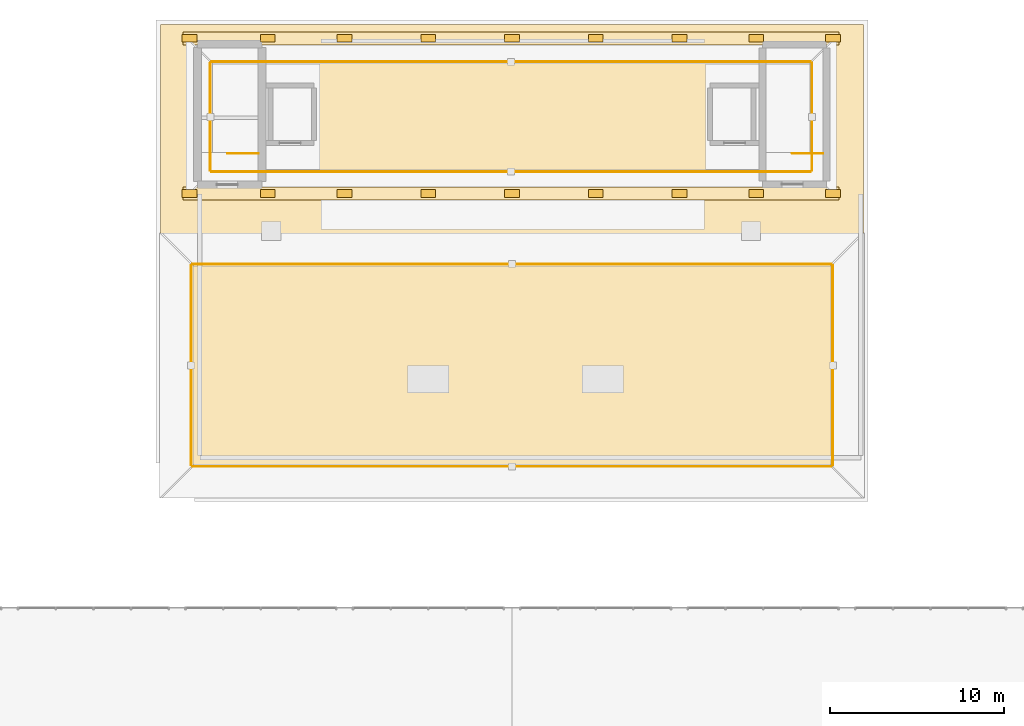
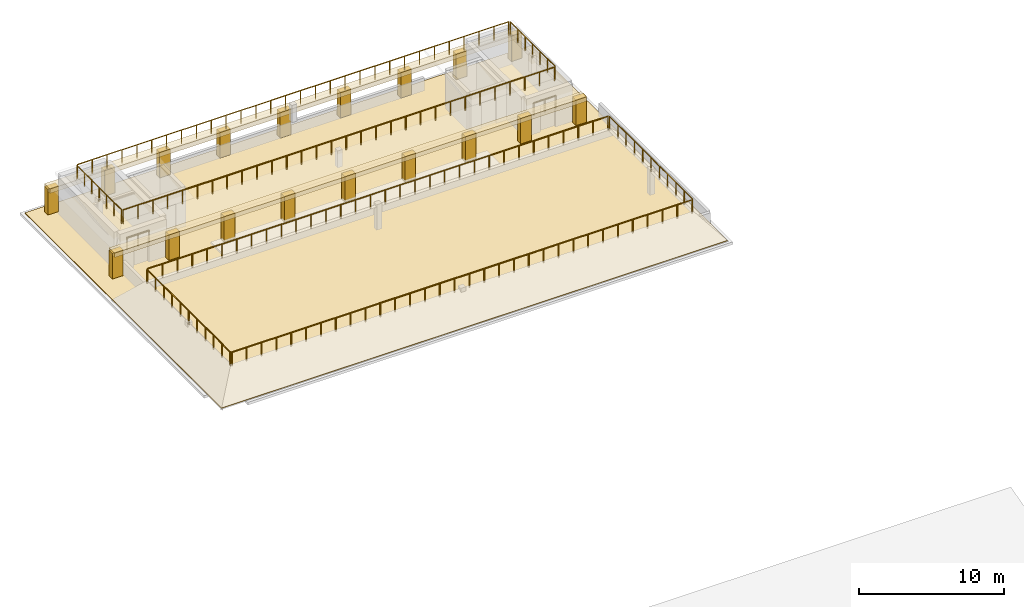
# One storey, part 18 of 18: 21 coverings, 10 railings.
"""IFC4 building model written with IfcOpenShell, lengths in metres."""

from ifc_helpers import new_model, si_unit, direction, frame, origin, origin_2d, place, context, subcontext, project, spatial, polyline, rectangle, circle, outline, extrude, material, layer, layer_set, type_object, element, save


model = new_model("IFC4")

# Units and contexts
model_context = context("Model", 3, precision=1e-05, world=origin(), true_north=direction((0.0, 1.0)))
body_context = subcontext(model_context, "Body", "Model", "MODEL_VIEW")
ifc_project = project(units=[si_unit("LENGTHUNIT", "METRE"), si_unit("AREAUNIT", "SQUARE_METRE"), si_unit("VOLUMEUNIT", "CUBIC_METRE"), si_unit("PLANEANGLEUNIT", "RADIAN"), si_unit("MASSUNIT", "GRAM", prefix="KILO")], contexts=[model_context])

# Site, building, storey
site_placement = place(None, origin())
site = spatial("IfcSite", under=ifc_project, at=site_placement, CompositionType="ELEMENT")
building_placement = place(site_placement, origin())
building = spatial("IfcBuilding", under=site, at=building_placement, Name="Bempovik Park Faculty of Sciences", CompositionType="ELEMENT")
storey_placement = place(building_placement, frame((0.0, 0.0, 50.10009765625)))
storey = spatial("IfcBuildingStorey", under=building, at=storey_placement, Name="Roof", CompositionType="ELEMENT", Elevation=50.10009765625)

# Railings
ifc_material_1 = material(Name="Precast concrete C40/50", Category="concrete")
railing_type_1 = type_object("IfcRailingType", Name="BL-01 Terrace Balustrade 1150mm", PredefinedType="BALUSTRADE", material=ifc_material_1)
railing_1_placement = place(storey_placement, frame((70.47998046875, 95.0, 1.929931640625)))
element("IfcRailing", 1, at=railing_1_placement, inside=storey, type_object=railing_type_1, Name="Classical Mansard Cresting Balustrade V5SO-S", PredefinedType="BALUSTRADE", context=body_context, shape_type="SweptSolid", body=[
    extrude(circle(Radius=0.02392578125, at=origin_2d()), frame((0.0, 0.0, 1.1259765625), z_axis=(1.0, 0.0, 0.0), x_axis=(0.0, 1.0, 0.0)), (0.0, 0.0, 1.0), 36.64013671875),
    extrude(circle(Radius=0.02099609375, at=origin_2d()), origin(), (0.0, 0.0, 1.0), 1.101806640625),
    extrude(circle(Radius=0.02099609375, at=origin_2d()), frame((1.181884765625, 0.0, 0.0)), (0.0, 0.0, 1.0), 1.101806640625),
    extrude(circle(Radius=0.02099609375, at=origin_2d()), frame((2.36376953125, 0.0, 0.0)), (0.0, 0.0, 1.0), 1.101806640625),
    extrude(circle(Radius=0.02099609375, at=origin_2d()), frame((3.5458984375, 0.0, 0.0)), (0.0, 0.0, 1.0), 1.101806640625),
    extrude(circle(Radius=0.02099609375, at=origin_2d()), frame((4.727783203125, 0.0, 0.0)), (0.0, 0.0, 1.0), 1.101806640625),
    extrude(circle(Radius=0.02099609375, at=origin_2d()), frame((5.90966796875, 0.0, 0.0)), (0.0, 0.0, 1.0), 1.101806640625),
    extrude(circle(Radius=0.02099609375, at=origin_2d()), frame((7.091552734375, 0.0, 0.0)), (0.0, 0.0, 1.0), 1.101806640625),
    extrude(circle(Radius=0.02099609375, at=origin_2d()), frame((8.273681640625, 0.0, 0.0)), (0.0, 0.0, 1.0), 1.101806640625),
    extrude(circle(Radius=0.02099609375, at=origin_2d()), frame((9.45556640625, 0.0, 0.0)), (0.0, 0.0, 1.0), 1.101806640625),
    extrude(circle(Radius=0.02099609375, at=origin_2d()), frame((10.637451171875, 0.0, 0.0)), (0.0, 0.0, 1.0), 1.101806640625),
    extrude(circle(Radius=0.02099609375, at=origin_2d()), frame((11.8193359375, 0.0, 0.0)), (0.0, 0.0, 1.0), 1.101806640625),
    extrude(circle(Radius=0.02099609375, at=origin_2d()), frame((13.001220703125, 0.0, 0.0)), (0.0, 0.0, 1.0), 1.101806640625),
    extrude(circle(Radius=0.02099609375, at=origin_2d()), frame((14.183349609375, 0.0, 0.0)), (0.0, 0.0, 1.0), 1.101806640625),
    extrude(circle(Radius=0.02099609375, at=origin_2d()), frame((15.365234375, 0.0, 0.0)), (0.0, 0.0, 1.0), 1.101806640625),
    extrude(circle(Radius=0.02099609375, at=origin_2d()), frame((16.547119140625, 0.0, 0.0)), (0.0, 0.0, 1.0), 1.101806640625),
    extrude(circle(Radius=0.02099609375, at=origin_2d()), frame((17.72900390625, 0.0, 0.0)), (0.0, 0.0, 1.0), 1.101806640625),
    extrude(circle(Radius=0.02099609375, at=origin_2d()), frame((18.9111328125, 0.0, 0.0)), (0.0, 0.0, 1.0), 1.101806640625),
    extrude(circle(Radius=0.02099609375, at=origin_2d()), frame((20.093017578125, 0.0, 0.0)), (0.0, 0.0, 1.0), 1.101806640625),
    extrude(circle(Radius=0.02099609375, at=origin_2d()), frame((21.27490234375, 0.0, 0.0)), (0.0, 0.0, 1.0), 1.101806640625),
    extrude(circle(Radius=0.02099609375, at=origin_2d()), frame((22.456787109375, 0.0, 0.0)), (0.0, 0.0, 1.0), 1.101806640625),
    extrude(circle(Radius=0.02099609375, at=origin_2d()), frame((23.638916015625, 0.0, 0.0)), (0.0, 0.0, 1.0), 1.101806640625),
    extrude(circle(Radius=0.02099609375, at=origin_2d()), frame((24.82080078125, 0.0, 0.0)), (0.0, 0.0, 1.0), 1.101806640625),
    extrude(circle(Radius=0.02099609375, at=origin_2d()), frame((26.002685546875, 0.0, 0.0)), (0.0, 0.0, 1.0), 1.101806640625),
    extrude(circle(Radius=0.02099609375, at=origin_2d()), frame((27.1845703125, 0.0, 0.0)), (0.0, 0.0, 1.0), 1.101806640625),
    extrude(circle(Radius=0.02099609375, at=origin_2d()), frame((28.366455078125, 0.0, 0.0)), (0.0, 0.0, 1.0), 1.101806640625),
    extrude(circle(Radius=0.02099609375, at=origin_2d()), frame((29.548583984375, 0.0, 0.0)), (0.0, 0.0, 1.0), 1.101806640625),
    extrude(circle(Radius=0.02099609375, at=origin_2d()), frame((30.73046875, 0.0, 0.0)), (0.0, 0.0, 1.0), 1.101806640625),
    extrude(circle(Radius=0.02099609375, at=origin_2d()), frame((31.912353515625, 0.0, 0.0)), (0.0, 0.0, 1.0), 1.101806640625),
    extrude(circle(Radius=0.02099609375, at=origin_2d()), frame((33.09423828125, 0.0, 0.0)), (0.0, 0.0, 1.0), 1.101806640625),
    extrude(circle(Radius=0.02099609375, at=origin_2d()), frame((34.2763671875, 0.0, 0.0)), (0.0, 0.0, 1.0), 1.101806640625),
    extrude(circle(Radius=0.02099609375, at=origin_2d()), frame((35.458251953125, 0.0, 0.0)), (0.0, 0.0, 1.0), 1.101806640625),
    extrude(circle(Radius=0.02099609375, at=origin_2d()), frame((36.64013671875, 0.0, 0.0)), (0.0, 0.0, 1.0), 1.101806640625),
])
railing_2_placement = place(storey_placement, frame((70.47998046875, 106.60009765625, 1.929931640625)))
element("IfcRailing", 2, at=railing_2_placement, inside=storey, type_object=railing_type_1, Name="Classical Mansard Cresting Balustrade V5SO-N", PredefinedType="BALUSTRADE", context=body_context, shape_type="SweptSolid", body=[
    extrude(circle(Radius=0.02392578125, at=origin_2d()), frame((0.0, 0.0, 1.1259765625), z_axis=(1.0, 0.0, 0.0), x_axis=(0.0, 1.0, 0.0)), (0.0, 0.0, 1.0), 36.64013671875),
    extrude(circle(Radius=0.02099609375, at=origin_2d()), origin(), (0.0, 0.0, 1.0), 1.101806640625),
    extrude(circle(Radius=0.02099609375, at=origin_2d()), frame((1.181884765625, 0.0, 0.0)), (0.0, 0.0, 1.0), 1.101806640625),
    extrude(circle(Radius=0.02099609375, at=origin_2d()), frame((2.36376953125, 0.0, 0.0)), (0.0, 0.0, 1.0), 1.101806640625),
    extrude(circle(Radius=0.02099609375, at=origin_2d()), frame((3.5458984375, 0.0, 0.0)), (0.0, 0.0, 1.0), 1.101806640625),
    extrude(circle(Radius=0.02099609375, at=origin_2d()), frame((4.727783203125, 0.0, 0.0)), (0.0, 0.0, 1.0), 1.101806640625),
    extrude(circle(Radius=0.02099609375, at=origin_2d()), frame((5.90966796875, 0.0, 0.0)), (0.0, 0.0, 1.0), 1.101806640625),
    extrude(circle(Radius=0.02099609375, at=origin_2d()), frame((7.091552734375, 0.0, 0.0)), (0.0, 0.0, 1.0), 1.101806640625),
    extrude(circle(Radius=0.02099609375, at=origin_2d()), frame((8.273681640625, 0.0, 0.0)), (0.0, 0.0, 1.0), 1.101806640625),
    extrude(circle(Radius=0.02099609375, at=origin_2d()), frame((9.45556640625, 0.0, 0.0)), (0.0, 0.0, 1.0), 1.101806640625),
    extrude(circle(Radius=0.02099609375, at=origin_2d()), frame((10.637451171875, 0.0, 0.0)), (0.0, 0.0, 1.0), 1.101806640625),
    extrude(circle(Radius=0.02099609375, at=origin_2d()), frame((11.8193359375, 0.0, 0.0)), (0.0, 0.0, 1.0), 1.101806640625),
    extrude(circle(Radius=0.02099609375, at=origin_2d()), frame((13.001220703125, 0.0, 0.0)), (0.0, 0.0, 1.0), 1.101806640625),
    extrude(circle(Radius=0.02099609375, at=origin_2d()), frame((14.183349609375, 0.0, 0.0)), (0.0, 0.0, 1.0), 1.101806640625),
    extrude(circle(Radius=0.02099609375, at=origin_2d()), frame((15.365234375, 0.0, 0.0)), (0.0, 0.0, 1.0), 1.101806640625),
    extrude(circle(Radius=0.02099609375, at=origin_2d()), frame((16.547119140625, 0.0, 0.0)), (0.0, 0.0, 1.0), 1.101806640625),
    extrude(circle(Radius=0.02099609375, at=origin_2d()), frame((17.72900390625, 0.0, 0.0)), (0.0, 0.0, 1.0), 1.101806640625),
    extrude(circle(Radius=0.02099609375, at=origin_2d()), frame((18.9111328125, 0.0, 0.0)), (0.0, 0.0, 1.0), 1.101806640625),
    extrude(circle(Radius=0.02099609375, at=origin_2d()), frame((20.093017578125, 0.0, 0.0)), (0.0, 0.0, 1.0), 1.101806640625),
    extrude(circle(Radius=0.02099609375, at=origin_2d()), frame((21.27490234375, 0.0, 0.0)), (0.0, 0.0, 1.0), 1.101806640625),
    extrude(circle(Radius=0.02099609375, at=origin_2d()), frame((22.456787109375, 0.0, 0.0)), (0.0, 0.0, 1.0), 1.101806640625),
    extrude(circle(Radius=0.02099609375, at=origin_2d()), frame((23.638916015625, 0.0, 0.0)), (0.0, 0.0, 1.0), 1.101806640625),
    extrude(circle(Radius=0.02099609375, at=origin_2d()), frame((24.82080078125, 0.0, 0.0)), (0.0, 0.0, 1.0), 1.101806640625),
    extrude(circle(Radius=0.02099609375, at=origin_2d()), frame((26.002685546875, 0.0, 0.0)), (0.0, 0.0, 1.0), 1.101806640625),
    extrude(circle(Radius=0.02099609375, at=origin_2d()), frame((27.1845703125, 0.0, 0.0)), (0.0, 0.0, 1.0), 1.101806640625),
    extrude(circle(Radius=0.02099609375, at=origin_2d()), frame((28.366455078125, 0.0, 0.0)), (0.0, 0.0, 1.0), 1.101806640625),
    extrude(circle(Radius=0.02099609375, at=origin_2d()), frame((29.548583984375, 0.0, 0.0)), (0.0, 0.0, 1.0), 1.101806640625),
    extrude(circle(Radius=0.02099609375, at=origin_2d()), frame((30.73046875, 0.0, 0.0)), (0.0, 0.0, 1.0), 1.101806640625),
    extrude(circle(Radius=0.02099609375, at=origin_2d()), frame((31.912353515625, 0.0, 0.0)), (0.0, 0.0, 1.0), 1.101806640625),
    extrude(circle(Radius=0.02099609375, at=origin_2d()), frame((33.09423828125, 0.0, 0.0)), (0.0, 0.0, 1.0), 1.101806640625),
    extrude(circle(Radius=0.02099609375, at=origin_2d()), frame((34.2763671875, 0.0, 0.0)), (0.0, 0.0, 1.0), 1.101806640625),
    extrude(circle(Radius=0.02099609375, at=origin_2d()), frame((35.458251953125, 0.0, 0.0)), (0.0, 0.0, 1.0), 1.101806640625),
    extrude(circle(Radius=0.02099609375, at=origin_2d()), frame((36.64013671875, 0.0, 0.0)), (0.0, 0.0, 1.0), 1.101806640625),
])
for number, where, name in (
    (3, (70.39990234375, 95.080078125, 1.929931640625), "Classical Mansard Cresting Balustrade V5SO-W"),
    (4, (107.199951171875, 95.080078125, 1.929931640625), "Classical Mansard Cresting Balustrade V5SO-E"),
):
    element("IfcRailing", number, at=place(storey_placement, frame(where)), inside=storey, type_object=railing_type_1, Name=name, PredefinedType="BALUSTRADE", context=body_context, shape_type="SweptSolid", body=[
        extrude(circle(Radius=0.02392578125, at=origin_2d()), frame((0.0, 0.0, 1.1259765625), z_axis=(0.0, 1.0, 0.0), x_axis=(-1.0, 0.0, 0.0)), (0.0, 0.0, 1.0), 11.43994140625),
        extrude(circle(Radius=0.02099609375, at=origin_2d()), origin(), (0.0, 0.0, 1.0), 1.101806640625),
        extrude(circle(Radius=0.02099609375, at=origin_2d()), frame((0.0, 1.14404296875, 0.0)), (0.0, 0.0, 1.0), 1.101806640625),
        extrude(circle(Radius=0.02099609375, at=origin_2d()), frame((0.0, 2.2880859375, 0.0)), (0.0, 0.0, 1.0), 1.101806640625),
        extrude(circle(Radius=0.02099609375, at=origin_2d()), frame((0.0, 3.431884765625, 0.0)), (0.0, 0.0, 1.0), 1.101806640625),
        extrude(circle(Radius=0.02099609375, at=origin_2d()), frame((0.0, 4.575927734375, 0.0)), (0.0, 0.0, 1.0), 1.101806640625),
        extrude(circle(Radius=0.02099609375, at=origin_2d()), frame((0.0, 5.719970703125, 0.0)), (0.0, 0.0, 1.0), 1.101806640625),
        extrude(circle(Radius=0.02099609375, at=origin_2d()), frame((0.0, 6.864013671875, 0.0)), (0.0, 0.0, 1.0), 1.101806640625),
        extrude(circle(Radius=0.02099609375, at=origin_2d()), frame((0.0, 8.008056640625, 0.0)), (0.0, 0.0, 1.0), 1.101806640625),
        extrude(circle(Radius=0.02099609375, at=origin_2d()), frame((0.0, 9.15185546875, 0.0)), (0.0, 0.0, 1.0), 1.101806640625),
        extrude(circle(Radius=0.02099609375, at=origin_2d()), frame((0.0, 10.2958984375, 0.0)), (0.0, 0.0, 1.0), 1.101806640625),
        extrude(circle(Radius=0.02099609375, at=origin_2d()), frame((0.0, 11.43994140625, 0.0)), (0.0, 0.0, 1.0), 1.101806640625),
    ])
railing_3_placement = place(storey_placement, frame((71.580078125, 111.89990234375, 3.27001953125)))
element("IfcRailing", 5, at=railing_3_placement, inside=storey, type_object=railing_type_1, Name="Classical Mansard Cresting Balustrade V5BELV-S", PredefinedType="BALUSTRADE", context=body_context, shape_type="SweptSolid", body=[
    extrude(circle(Radius=0.02392578125, at=origin_2d()), frame((0.0, 0.0, 1.1259765625), z_axis=(1.0, 0.0, 0.0), x_axis=(0.0, 1.0, 0.0)), (0.0, 0.0, 1.0), 34.33984375),
    extrude(circle(Radius=0.02099609375, at=origin_2d()), origin(), (0.0, 0.0, 1.0), 1.101806640625),
    extrude(circle(Radius=0.02099609375, at=origin_2d()), frame((1.18408203125, 0.0, 0.0)), (0.0, 0.0, 1.0), 1.101806640625),
    extrude(circle(Radius=0.02099609375, at=origin_2d()), frame((2.3681640625, 0.0, 0.0)), (0.0, 0.0, 1.0), 1.101806640625),
    extrude(circle(Radius=0.02099609375, at=origin_2d()), frame((3.552490234375, 0.0, 0.0)), (0.0, 0.0, 1.0), 1.101806640625),
    extrude(circle(Radius=0.02099609375, at=origin_2d()), frame((4.736572265625, 0.0, 0.0)), (0.0, 0.0, 1.0), 1.101806640625),
    extrude(circle(Radius=0.02099609375, at=origin_2d()), frame((5.920654296875, 0.0, 0.0)), (0.0, 0.0, 1.0), 1.101806640625),
    extrude(circle(Radius=0.02099609375, at=origin_2d()), frame((7.104736328125, 0.0, 0.0)), (0.0, 0.0, 1.0), 1.101806640625),
    extrude(circle(Radius=0.02099609375, at=origin_2d()), frame((8.288818359375, 0.0, 0.0)), (0.0, 0.0, 1.0), 1.101806640625),
    extrude(circle(Radius=0.02099609375, at=origin_2d()), frame((9.47314453125, 0.0, 0.0)), (0.0, 0.0, 1.0), 1.101806640625),
    extrude(circle(Radius=0.02099609375, at=origin_2d()), frame((10.6572265625, 0.0, 0.0)), (0.0, 0.0, 1.0), 1.101806640625),
    extrude(circle(Radius=0.02099609375, at=origin_2d()), frame((11.84130859375, 0.0, 0.0)), (0.0, 0.0, 1.0), 1.101806640625),
    extrude(circle(Radius=0.02099609375, at=origin_2d()), frame((13.025390625, 0.0, 0.0)), (0.0, 0.0, 1.0), 1.101806640625),
    extrude(circle(Radius=0.02099609375, at=origin_2d()), frame((14.20947265625, 0.0, 0.0)), (0.0, 0.0, 1.0), 1.101806640625),
    extrude(circle(Radius=0.02099609375, at=origin_2d()), frame((15.393798828125, 0.0, 0.0)), (0.0, 0.0, 1.0), 1.101806640625),
    extrude(circle(Radius=0.02099609375, at=origin_2d()), frame((16.577880859375, 0.0, 0.0)), (0.0, 0.0, 1.0), 1.101806640625),
    extrude(circle(Radius=0.02099609375, at=origin_2d()), frame((17.761962890625, 0.0, 0.0)), (0.0, 0.0, 1.0), 1.101806640625),
    extrude(circle(Radius=0.02099609375, at=origin_2d()), frame((18.946044921875, 0.0, 0.0)), (0.0, 0.0, 1.0), 1.101806640625),
    extrude(circle(Radius=0.02099609375, at=origin_2d()), frame((20.13037109375, 0.0, 0.0)), (0.0, 0.0, 1.0), 1.101806640625),
    extrude(circle(Radius=0.02099609375, at=origin_2d()), frame((21.314453125, 0.0, 0.0)), (0.0, 0.0, 1.0), 1.101806640625),
    extrude(circle(Radius=0.02099609375, at=origin_2d()), frame((22.49853515625, 0.0, 0.0)), (0.0, 0.0, 1.0), 1.101806640625),
    extrude(circle(Radius=0.02099609375, at=origin_2d()), frame((23.6826171875, 0.0, 0.0)), (0.0, 0.0, 1.0), 1.101806640625),
    extrude(circle(Radius=0.02099609375, at=origin_2d()), frame((24.86669921875, 0.0, 0.0)), (0.0, 0.0, 1.0), 1.101806640625),
    extrude(circle(Radius=0.02099609375, at=origin_2d()), frame((26.051025390625, 0.0, 0.0)), (0.0, 0.0, 1.0), 1.101806640625),
    extrude(circle(Radius=0.02099609375, at=origin_2d()), frame((27.235107421875, 0.0, 0.0)), (0.0, 0.0, 1.0), 1.101806640625),
    extrude(circle(Radius=0.02099609375, at=origin_2d()), frame((28.419189453125, 0.0, 0.0)), (0.0, 0.0, 1.0), 1.101806640625),
    extrude(circle(Radius=0.02099609375, at=origin_2d()), frame((29.603271484375, 0.0, 0.0)), (0.0, 0.0, 1.0), 1.101806640625),
    extrude(circle(Radius=0.02099609375, at=origin_2d()), frame((30.787353515625, 0.0, 0.0)), (0.0, 0.0, 1.0), 1.101806640625),
    extrude(circle(Radius=0.02099609375, at=origin_2d()), frame((31.9716796875, 0.0, 0.0)), (0.0, 0.0, 1.0), 1.101806640625),
    extrude(circle(Radius=0.02099609375, at=origin_2d()), frame((33.15576171875, 0.0, 0.0)), (0.0, 0.0, 1.0), 1.101806640625),
    extrude(circle(Radius=0.02099609375, at=origin_2d()), frame((34.33984375, 0.0, 0.0)), (0.0, 0.0, 1.0), 1.101806640625),
])
railing_4_placement = place(storey_placement, frame((71.580078125, 118.199951171875, 3.27001953125)))
element("IfcRailing", 6, at=railing_4_placement, inside=storey, type_object=railing_type_1, Name="Classical Mansard Cresting Balustrade V5BELV-N", PredefinedType="BALUSTRADE", context=body_context, shape_type="SweptSolid", body=[
    extrude(circle(Radius=0.02392578125, at=origin_2d()), frame((0.0, 0.0, 1.1259765625), z_axis=(1.0, 0.0, 0.0), x_axis=(0.0, 1.0, 0.0)), (0.0, 0.0, 1.0), 34.33984375),
    extrude(circle(Radius=0.02099609375, at=origin_2d()), origin(), (0.0, 0.0, 1.0), 1.101806640625),
    extrude(circle(Radius=0.02099609375, at=origin_2d()), frame((1.18408203125, 0.0, 0.0)), (0.0, 0.0, 1.0), 1.101806640625),
    extrude(circle(Radius=0.02099609375, at=origin_2d()), frame((2.3681640625, 0.0, 0.0)), (0.0, 0.0, 1.0), 1.101806640625),
    extrude(circle(Radius=0.02099609375, at=origin_2d()), frame((3.552490234375, 0.0, 0.0)), (0.0, 0.0, 1.0), 1.101806640625),
    extrude(circle(Radius=0.02099609375, at=origin_2d()), frame((4.736572265625, 0.0, 0.0)), (0.0, 0.0, 1.0), 1.101806640625),
    extrude(circle(Radius=0.02099609375, at=origin_2d()), frame((5.920654296875, 0.0, 0.0)), (0.0, 0.0, 1.0), 1.101806640625),
    extrude(circle(Radius=0.02099609375, at=origin_2d()), frame((7.104736328125, 0.0, 0.0)), (0.0, 0.0, 1.0), 1.101806640625),
    extrude(circle(Radius=0.02099609375, at=origin_2d()), frame((8.288818359375, 0.0, 0.0)), (0.0, 0.0, 1.0), 1.101806640625),
    extrude(circle(Radius=0.02099609375, at=origin_2d()), frame((9.47314453125, 0.0, 0.0)), (0.0, 0.0, 1.0), 1.101806640625),
    extrude(circle(Radius=0.02099609375, at=origin_2d()), frame((10.6572265625, 0.0, 0.0)), (0.0, 0.0, 1.0), 1.101806640625),
    extrude(circle(Radius=0.02099609375, at=origin_2d()), frame((11.84130859375, 0.0, 0.0)), (0.0, 0.0, 1.0), 1.101806640625),
    extrude(circle(Radius=0.02099609375, at=origin_2d()), frame((13.025390625, 0.0, 0.0)), (0.0, 0.0, 1.0), 1.101806640625),
    extrude(circle(Radius=0.02099609375, at=origin_2d()), frame((14.20947265625, 0.0, 0.0)), (0.0, 0.0, 1.0), 1.101806640625),
    extrude(circle(Radius=0.02099609375, at=origin_2d()), frame((15.393798828125, 0.0, 0.0)), (0.0, 0.0, 1.0), 1.101806640625),
    extrude(circle(Radius=0.02099609375, at=origin_2d()), frame((16.577880859375, 0.0, 0.0)), (0.0, 0.0, 1.0), 1.101806640625),
    extrude(circle(Radius=0.02099609375, at=origin_2d()), frame((17.761962890625, 0.0, 0.0)), (0.0, 0.0, 1.0), 1.101806640625),
    extrude(circle(Radius=0.02099609375, at=origin_2d()), frame((18.946044921875, 0.0, 0.0)), (0.0, 0.0, 1.0), 1.101806640625),
    extrude(circle(Radius=0.02099609375, at=origin_2d()), frame((20.13037109375, 0.0, 0.0)), (0.0, 0.0, 1.0), 1.101806640625),
    extrude(circle(Radius=0.02099609375, at=origin_2d()), frame((21.314453125, 0.0, 0.0)), (0.0, 0.0, 1.0), 1.101806640625),
    extrude(circle(Radius=0.02099609375, at=origin_2d()), frame((22.49853515625, 0.0, 0.0)), (0.0, 0.0, 1.0), 1.101806640625),
    extrude(circle(Radius=0.02099609375, at=origin_2d()), frame((23.6826171875, 0.0, 0.0)), (0.0, 0.0, 1.0), 1.101806640625),
    extrude(circle(Radius=0.02099609375, at=origin_2d()), frame((24.86669921875, 0.0, 0.0)), (0.0, 0.0, 1.0), 1.101806640625),
    extrude(circle(Radius=0.02099609375, at=origin_2d()), frame((26.051025390625, 0.0, 0.0)), (0.0, 0.0, 1.0), 1.101806640625),
    extrude(circle(Radius=0.02099609375, at=origin_2d()), frame((27.235107421875, 0.0, 0.0)), (0.0, 0.0, 1.0), 1.101806640625),
    extrude(circle(Radius=0.02099609375, at=origin_2d()), frame((28.419189453125, 0.0, 0.0)), (0.0, 0.0, 1.0), 1.101806640625),
    extrude(circle(Radius=0.02099609375, at=origin_2d()), frame((29.603271484375, 0.0, 0.0)), (0.0, 0.0, 1.0), 1.101806640625),
    extrude(circle(Radius=0.02099609375, at=origin_2d()), frame((30.787353515625, 0.0, 0.0)), (0.0, 0.0, 1.0), 1.101806640625),
    extrude(circle(Radius=0.02099609375, at=origin_2d()), frame((31.9716796875, 0.0, 0.0)), (0.0, 0.0, 1.0), 1.101806640625),
    extrude(circle(Radius=0.02099609375, at=origin_2d()), frame((33.15576171875, 0.0, 0.0)), (0.0, 0.0, 1.0), 1.101806640625),
    extrude(circle(Radius=0.02099609375, at=origin_2d()), frame((34.33984375, 0.0, 0.0)), (0.0, 0.0, 1.0), 1.101806640625),
])
for number, where, name in (
    (7, (71.5, 111.97998046875, 3.27001953125), "Classical Mansard Cresting Balustrade V5BELV-W"),
    (8, (106.0, 111.97998046875, 3.27001953125), "Classical Mansard Cresting Balustrade V5BELV-E"),
):
    element("IfcRailing", number, at=place(storey_placement, frame(where)), inside=storey, type_object=railing_type_1, Name=name, PredefinedType="BALUSTRADE", context=body_context, shape_type="SweptSolid", body=[
        extrude(circle(Radius=0.02392578125, at=origin_2d()), frame((0.0, 0.0, 1.1259765625), z_axis=(0.0, 1.0, 0.0), x_axis=(-1.0, 0.0, 0.0)), (0.0, 0.0, 1.0), 6.14013671875),
        extrude(circle(Radius=0.02099609375, at=origin_2d()), origin(), (0.0, 0.0, 1.0), 1.101806640625),
        extrude(circle(Radius=0.02099609375, at=origin_2d()), frame((0.0, 1.0234375, 0.0)), (0.0, 0.0, 1.0), 1.101806640625),
        extrude(circle(Radius=0.02099609375, at=origin_2d()), frame((0.0, 2.046630859375, 0.0)), (0.0, 0.0, 1.0), 1.101806640625),
        extrude(circle(Radius=0.02099609375, at=origin_2d()), frame((0.0, 3.070068359375, 0.0)), (0.0, 0.0, 1.0), 1.101806640625),
        extrude(circle(Radius=0.02099609375, at=origin_2d()), frame((0.0, 4.093505859375, 0.0)), (0.0, 0.0, 1.0), 1.101806640625),
        extrude(circle(Radius=0.02099609375, at=origin_2d()), frame((0.0, 5.11669921875, 0.0)), (0.0, 0.0, 1.0), 1.101806640625),
        extrude(circle(Radius=0.02099609375, at=origin_2d()), frame((0.0, 6.14013671875, 0.0)), (0.0, 0.0, 1.0), 1.101806640625),
    ])

# Coverings
ifc_layer_1 = layer(ifc_material_1, 0.179931640625)
ifc_layer_set_1 = layer_set([ifc_layer_1], Name="Precast concrete C40/50")
covering_type_1 = type_object("IfcCoveringType", Name="CL-02 Classical Cornice Band 180mm", PredefinedType="CLADDING", material=ifc_layer_set_1)
for number, where, z_axis, x_axis, name in (
    (9, (88.75, 110.64990234375, 1.929931640625), (0.0, 0.0, 1.0), (1.0, 0.0, 0.0), "Roof Belvedere Classical South Entablature"),
    (10, (88.75, 119.550048828125, 1.929931640625), (0.0, 0.0, 1.0), (1.0, 0.0, 0.0), "Roof Belvedere Classical North Entablature"),
):
    element("IfcCovering", number, at=place(storey_placement, frame(where, z_axis=z_axis, x_axis=x_axis)), inside=storey, type_object=covering_type_1, Name=name, PredefinedType="CLADDING", context=body_context, shape_type="SweptSolid", body=[
        extrude(rectangle(XDim=37.60009765625, YDim=0.75, at=origin_2d()), origin(), (0.0, 0.0, 1.0), 0.3798828125),
    ])
ifc_material_2 = material(Name="White reconstituted limestone precast C40/50", Category="masonry")
ifc_layer_2 = layer(ifc_material_2, 0.239990234375)
ifc_layer_set_2 = layer_set([ifc_layer_2], Name="White reconstituted limestone precast C40/50")
covering_type_2 = type_object("IfcCoveringType", Name="CL-03 Classical Fluted Limestone Pilaster 240mm", PredefinedType="CLADDING", material=ifc_layer_set_2)
for number, where, z_axis, x_axis, name in (
    (11, (70.300048828125, 110.64990234375, -0.025146484375), (0.0, 0.0, 1.0), (1.0, 0.0, 0.0), "Roof Belvedere Classical Stone Pier (70.3,110.7)"),
    (12, (70.300048828125, 119.550048828125, -0.025146484375), (0.0, 0.0, 1.0), (1.0, 0.0, 0.0), "Roof Belvedere Classical Stone Pier (70.3,119.5)"),
    (13, (74.800048828125, 110.64990234375, -0.025146484375), (0.0, 0.0, 1.0), (1.0, 0.0, 0.0), "Roof Belvedere Classical Stone Pier (74.8,110.7)"),
    (14, (74.800048828125, 119.550048828125, -0.025146484375), (0.0, 0.0, 1.0), (1.0, 0.0, 0.0), "Roof Belvedere Classical Stone Pier (74.8,119.5)"),
    (15, (79.199951171875, 110.64990234375, -0.025146484375), (0.0, 0.0, 1.0), (1.0, 0.0, 0.0), "Roof Belvedere Classical Stone Pier (79.2,110.7)"),
    (16, (79.199951171875, 119.550048828125, -0.025146484375), (0.0, 0.0, 1.0), (1.0, 0.0, 0.0), "Roof Belvedere Classical Stone Pier (79.2,119.5)"),
    (17, (84.0, 110.64990234375, -0.025146484375), (0.0, 0.0, 1.0), (1.0, 0.0, 0.0), "Roof Belvedere Classical Stone Pier (84.0,110.7)"),
    (18, (84.0, 119.550048828125, -0.025146484375), (0.0, 0.0, 1.0), (1.0, 0.0, 0.0), "Roof Belvedere Classical Stone Pier (84.0,119.5)"),
    (19, (88.800048828125, 110.64990234375, -0.025146484375), (0.0, 0.0, 1.0), (1.0, 0.0, 0.0), "Roof Belvedere Classical Stone Pier (88.8,110.7)"),
    (20, (88.800048828125, 119.550048828125, -0.025146484375), (0.0, 0.0, 1.0), (1.0, 0.0, 0.0), "Roof Belvedere Classical Stone Pier (88.8,119.5)"),
    (21, (93.60009765625, 110.64990234375, -0.025146484375), (0.0, 0.0, 1.0), (1.0, 0.0, 0.0), "Roof Belvedere Classical Stone Pier (93.6,110.7)"),
    (22, (93.60009765625, 119.550048828125, -0.025146484375), (0.0, 0.0, 1.0), (1.0, 0.0, 0.0), "Roof Belvedere Classical Stone Pier (93.6,119.5)"),
    (23, (98.39990234375, 110.64990234375, -0.025146484375), (0.0, 0.0, 1.0), (1.0, 0.0, 0.0), "Roof Belvedere Classical Stone Pier (98.4,110.7)"),
    (24, (98.39990234375, 119.550048828125, -0.025146484375), (0.0, 0.0, 1.0), (1.0, 0.0, 0.0), "Roof Belvedere Classical Stone Pier (98.4,119.5)"),
    (25, (102.800048828125, 110.64990234375, -0.025146484375), (0.0, 0.0, 1.0), (1.0, 0.0, 0.0), "Roof Belvedere Classical Stone Pier (102.8,110.7)"),
    (26, (102.800048828125, 119.550048828125, -0.025146484375), (0.0, 0.0, 1.0), (1.0, 0.0, 0.0), "Roof Belvedere Classical Stone Pier (102.8,119.5)"),
    (27, (107.199951171875, 110.64990234375, -0.025146484375), (0.0, 0.0, 1.0), (1.0, 0.0, 0.0), "Roof Belvedere Classical Stone Pier (107.2,110.7)"),
    (28, (107.199951171875, 119.550048828125, -0.025146484375), (0.0, 0.0, 1.0), (1.0, 0.0, 0.0), "Roof Belvedere Classical Stone Pier (107.2,119.5)"),
):
    element("IfcCovering", number, at=place(storey_placement, frame(where, z_axis=z_axis, x_axis=x_axis)), inside=storey, type_object=covering_type_2, Name=name, PredefinedType="CLADDING", context=body_context, shape_type="SweptSolid", body=[
        extrude(rectangle(XDim=0.85009765625, YDim=0.449951171875, at=origin_2d()), origin(), (0.0, 0.0, 1.0), 2.25),
    ])

# Railings
ifc_material_3 = material(Name="Anodised architectural bronze")
railing_type_2 = type_object("IfcRailingType", Name="GR-01 Guardrail 1120mm", PredefinedType="GUARDRAIL", material=ifc_material_3)
for number, where, name in (
    (29, (74.25, 112.949951171875, 0.0), "Roof ST-1 Top Well Guard 1"),
    (30, (106.625, 112.949951171875, 0.0), "Roof ST-2 Top Well Guard 1"),
):
    element("IfcRailing", number, at=place(storey_placement, frame(where)), inside=storey, type_object=railing_type_2, Name=name, PredefinedType="GUARDRAIL", context=body_context, shape_type="SweptSolid", body=[
        extrude(circle(Radius=0.02392578125, at=origin_2d()), frame((0.0, 0.0, 1.09619140625), z_axis=(-1.0, 0.0, 0.0), x_axis=(0.0, -1.0, 0.0)), (0.0, 0.0, 1.0), 1.75),
        extrude(circle(Radius=0.02099609375, at=origin_2d()), origin(), (0.0, 0.0, 1.0), 1.072021484375),
        extrude(circle(Radius=0.02099609375, at=origin_2d()), frame((-0.875, 0.0, 0.0)), (0.0, 0.0, 1.0), 1.072021484375),
        extrude(circle(Radius=0.02099609375, at=origin_2d()), frame((-1.75, 0.0, 0.0)), (0.0, 0.0, 1.0), 1.072021484375),
    ])

# Covering
ifc_material_4 = material(Name="Insulated cool-roof membrane")
ifc_layer_3 = layer(ifc_material_4, 0.06005859375)
ifc_layer_set_3 = layer_set([ifc_layer_3], Name="Insulated cool-roof membrane")
covering_type_3 = type_object("IfcCoveringType", Name="RF-01 Cool Roof Membrane 60mm", PredefinedType="ROOFING", material=ifc_layer_set_3)
covering_placement = place(storey_placement, origin())
element("IfcCovering", 31, at=covering_placement, inside=storey, type_object=covering_type_3, Name="Cool-Roof Membrane RF-V5-CROWN", PredefinedType="ROOFING", context=body_context, shape_type="SweptSolid", body=[
    extrude(outline(polyline([(68.64990234375, 93.25), (108.949951171875, 93.25), (108.949951171875, 120.35009765625), (68.64990234375, 120.35009765625), (68.64990234375, 93.25)])), origin(), (0.0, 0.0, 1.0), 0.059814453125),
])

save(model, "model.ifc")
